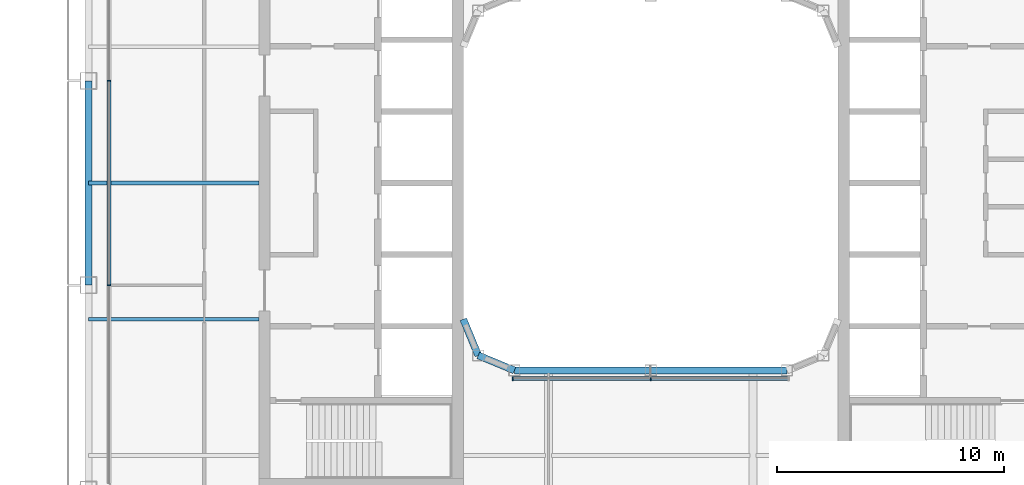
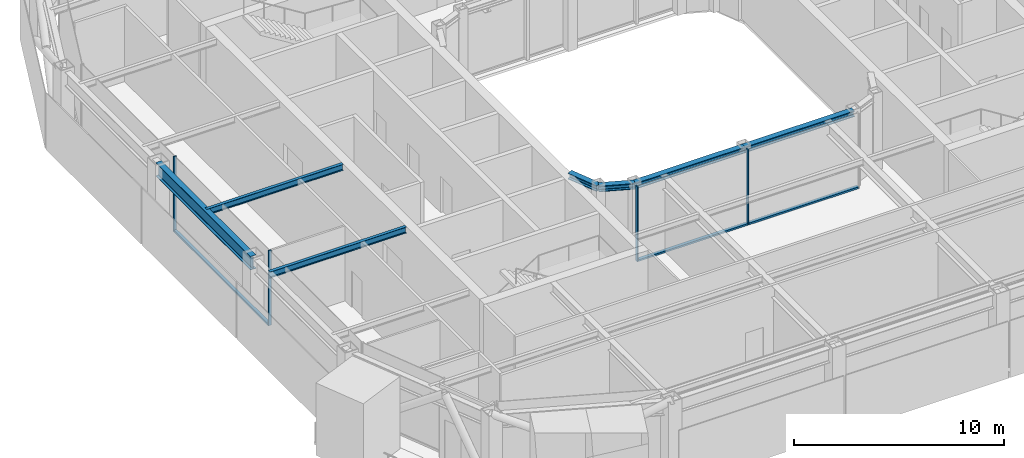
# One storey, part 4 of 20: 7 beams, 7 members, 2 elements without a shape of their own.
"""IFC4 building model written with IfcOpenShell, lengths in metres."""

from ifc_helpers import new_model, si_unit, direction, frame, origin, origin_2d, place, context, subcontext, project, spatial, rectangle, i_section, extrude, material, layer, layer_set, material_profile, profile_set, type_object, element, aggregate, save


model = new_model("IFC4")

# Units and contexts
model_context = context("Model", 3, precision=1e-05, world=origin(), true_north=direction((0.0, 1.0)))
body_context = subcontext(model_context, "Body", "Model", "MODEL_VIEW")
ifc_project = project(units=[si_unit("LENGTHUNIT", "METRE"), si_unit("AREAUNIT", "SQUARE_METRE"), si_unit("VOLUMEUNIT", "CUBIC_METRE"), si_unit("PLANEANGLEUNIT", "RADIAN"), si_unit("MASSUNIT", "GRAM", prefix="KILO")], contexts=[model_context])

# Site, building, storey
site_placement = place(None, origin())
site = spatial("IfcSite", under=ifc_project, at=site_placement, CompositionType="ELEMENT")
building_placement = place(site_placement, origin())
building = spatial("IfcBuilding", under=site, at=building_placement, Name="Siwar Civic Tower", CompositionType="ELEMENT")
storey_placement = place(building_placement, frame((0.0, 0.0, 316.699951171875)))
storey = spatial("IfcBuildingStorey", under=building, at=storey_placement, Name="L68", CompositionType="ELEMENT", Elevation=316.699951171875)

# Curtain wall, members
ifc_material_1 = material(Name="Aluminium and glass", Category="aluminium")
ifc_layer_1 = layer(ifc_material_1, 0.159912109375)
ifc_layer_set_1 = layer_set([ifc_layer_1], Name="Aluminium and glass")
curtain_wall_type_1 = type_object("IfcCurtainWallType", Name="ENV-CW-D", PredefinedType="NOTDEFINED", material=ifc_layer_set_1)
curtain_wall_1_placement = place(storey_placement, origin())
curtain_wall_1 = element("IfcCurtainWall", 1, at=curtain_wall_1_placement, inside=storey, type_object=curtain_wall_type_1, Name="Curtain wall D W", PredefinedType="NOTDEFINED")
ifc_material_2 = material(Name="Aluminium 6063-T6", Category="aluminium")
ifc_material_profile_1 = material_profile(ifc_material_2, rectangle(XDim=0.159912109375, YDim=0.06005859375, at=origin_2d()), Name="AL 160x60")
ifc_profile_set_1 = profile_set([ifc_material_profile_1], Name="Aluminium 6063-T6")
member_type_1 = type_object("IfcMemberType", Name="ENV-MULLION-D", PredefinedType="MULLION", material=ifc_profile_set_1)
member_1_placement = place(storey_placement, frame((-23.85009765625, 4.5, 0.0), z_axis=(0.0, 0.0, 1.0), x_axis=(1.0, 0.0, 0.0)))
member_1 = element("IfcMember", 2, at=member_1_placement, type_object=member_type_1, Name="Mullion D W 2", PredefinedType="MULLION", context=body_context, shape_type="SweptSolid", body=[
    extrude(rectangle(XDim=0.159912109375, YDim=0.06005859375, at=origin_2d()), origin(), (0.0, 0.0, 1.0), 4.35009765625),
])
member_2_placement = place(storey_placement, frame((-23.85009765625, -4.5, 0.0), z_axis=(0.0, 0.0, 1.0), x_axis=(1.0, 0.0, 0.0)))
member_2 = element("IfcMember", 3, at=member_2_placement, type_object=member_type_1, Name="Mullion D W 3", PredefinedType="MULLION", context=body_context, shape_type="SweptSolid", body=[
    extrude(rectangle(XDim=0.159912109375, YDim=0.06005859375, at=origin_2d()), origin(), (0.0, 0.0, 1.0), 4.35009765625),
])

ifc_material_3 = material(Name="Aluminium and glass", Category="aluminium")
ifc_layer_2 = layer(ifc_material_3, 0.179931640625)
ifc_layer_set_2 = layer_set([ifc_layer_2], Name="Aluminium and glass")
curtain_wall_type_2 = type_object("IfcCurtainWallType", Name="ENV-CW-W", PredefinedType="NOTDEFINED", material=ifc_layer_set_2)
curtain_wall_2_placement = place(storey_placement, origin())
curtain_wall_2 = element("IfcCurtainWall", 4, at=curtain_wall_2_placement, inside=storey, type_object=curtain_wall_type_2, Name="Curtain wall W WS", PredefinedType="NOTDEFINED")
ifc_material_4 = material(Name="Aluminium 6063-T6", Category="aluminium")
ifc_material_profile_2 = material_profile(ifc_material_4, rectangle(XDim=0.179931640625, YDim=0.06005859375, at=origin_2d()), Name="AL 180x60")
ifc_profile_set_2 = profile_set([ifc_material_profile_2], Name="Aluminium 6063-T6")
member_type_2 = type_object("IfcMemberType", Name="ENV-MULLION-W", PredefinedType="MULLION", material=ifc_profile_set_2)
member_3_placement = place(storey_placement, frame((-6.071533203125, -8.610107421875, 0.0), z_axis=(0.0, 0.0, 1.0), x_axis=(0.0, 1.0, 0.0)))
member_3 = element("IfcMember", 5, at=member_3_placement, type_object=member_type_2, Name="Mullion W WS 1", PredefinedType="MULLION", context=body_context, shape_type="SweptSolid", body=[
    extrude(rectangle(XDim=0.179931640625, YDim=0.06005859375, at=origin_2d()), origin(), (0.0, 0.0, 1.0), 4.35009765625),
])
member_4_placement = place(storey_placement, frame((0.0, -8.610107421875, 0.0), z_axis=(0.0, 0.0, 1.0), x_axis=(0.0, 1.0, 0.0)))
member_4 = element("IfcMember", 6, at=member_4_placement, type_object=member_type_2, Name="Mullion W WS 2", PredefinedType="MULLION", context=body_context, shape_type="SweptSolid", body=[
    extrude(rectangle(XDim=0.179931640625, YDim=0.06005859375, at=origin_2d()), origin(), (0.0, 0.0, 1.0), 4.35009765625),
])

# Member
ifc_material_5 = material(Name="Aluminium 6063-T6", Category="aluminium")
ifc_material_profile_3 = material_profile(ifc_material_5, rectangle(XDim=0.159912109375, YDim=0.10009765625, at=origin_2d()), Name="AL 160x100")
ifc_profile_set_3 = profile_set([ifc_material_profile_3], Name="Aluminium 6063-T6")
member_type_3 = type_object("IfcMemberType", Name="ENV-TRANSOM-D", PredefinedType="USERDEFINED", material=ifc_profile_set_3)
member_5_placement = place(storey_placement, frame((-23.85009765625, 4.469970703125, 0.050048828125), z_axis=(0.0, -1.0, 0.0), x_axis=(1.0, 0.0, 0.0)))
member_5 = element("IfcMember", 7, at=member_5_placement, type_object=member_type_3, Name="Transom D W 2", ObjectType="TRANSOM", PredefinedType="USERDEFINED", context=body_context, shape_type="SweptSolid", body=[
    extrude(rectangle(XDim=0.159912109375, YDim=0.10009765625, at=origin_2d()), origin(), (0.0, 0.0, 1.0), 8.93994140625),
])

aggregate(curtain_wall_1, [member_1, member_2, member_5])

ifc_material_6 = material(Name="Aluminium 6063-T6", Category="aluminium")
ifc_material_profile_4 = material_profile(ifc_material_6, rectangle(XDim=0.179931640625, YDim=0.10009765625, at=origin_2d()), Name="AL 180x100")
ifc_profile_set_4 = profile_set([ifc_material_profile_4], Name="Aluminium 6063-T6")
member_type_4 = type_object("IfcMemberType", Name="ENV-TRANSOM-W", PredefinedType="USERDEFINED", material=ifc_profile_set_4)
member_6_placement = place(storey_placement, frame((-6.04150390625, -8.610107421875, 0.050048828125), z_axis=(1.0, 0.0, 0.0), x_axis=(0.0, 1.0, 0.0)))
member_6 = element("IfcMember", 8, at=member_6_placement, type_object=member_type_4, Name="Transom W WS 1", ObjectType="TRANSOM", PredefinedType="USERDEFINED", context=body_context, shape_type="SweptSolid", body=[
    extrude(rectangle(XDim=0.179931640625, YDim=0.10009765625, at=origin_2d()), origin(), (0.0, 0.0, 1.0), 6.011474609375),
])

member_7_placement = place(storey_placement, frame((0.030029296875, -8.610107421875, 0.050048828125), z_axis=(1.0, 0.0, 0.0), x_axis=(0.0, 1.0, 0.0)))
member_7 = element("IfcMember", 9, at=member_7_placement, type_object=member_type_4, Name="Transom W WS 2", ObjectType="TRANSOM", PredefinedType="USERDEFINED", context=body_context, shape_type="SweptSolid", body=[
    extrude(rectangle(XDim=0.179931640625, YDim=0.10009765625, at=origin_2d()), origin(), (0.0, 0.0, 1.0), 6.011474609375),
])

aggregate(curtain_wall_2, [member_3, member_4, member_6, member_7])

# Beams
ifc_material_7 = material(Name="Steel S355", Category="steel")
ifc_material_profile_5 = material_profile(ifc_material_7, i_section(OverallWidth=0.169921875, OverallDepth=0.360107421875, WebThickness=0.008056640625, FlangeThickness=0.0126953125, FilletRadius=0.01806640625, at=origin_2d()), Name="IPE360")
ifc_profile_set_5 = profile_set([ifc_material_profile_5], Name="Steel S355")
beam_type_1 = type_object("IfcBeamType", Name="STR-FB-IPE360", PredefinedType="JOIST", material=ifc_profile_set_5)
for number, where, z_axis, x_axis, name in (
    (10, (-24.75, -6.0, 4.170166015625), (1.0, 0.0, 0.0), (0.0, 1.0, 0.0), "L68/bm/F016"),
    (11, (-24.75, 0.0, 4.170166015625), (1.0, 0.0, 0.0), (0.0, 1.0, 0.0), "L68/bm/F018"),
):
    element("IfcBeam", number, at=place(storey_placement, frame(where, z_axis=z_axis, x_axis=x_axis)), inside=storey, type_object=beam_type_1, Name=name, PredefinedType="JOIST", context=body_context, shape_type="SweptSolid", body=[
        extrude(i_section(OverallWidth=0.169921875, OverallDepth=0.360107421875, WebThickness=0.008056640625, FlangeThickness=0.0126953125, FilletRadius=0.01806640625, at=origin_2d()), origin(), (0.0, 0.0, 1.0), 7.5),
    ])
ifc_material_8 = material(Name="Steel S355", Category="steel")
ifc_material_profile_6 = material_profile(ifc_material_8, i_section(OverallWidth=0.31005859375, OverallDepth=0.340087890625, WebThickness=0.02099609375, FlangeThickness=0.0390625, FilletRadius=0.027099609375, at=origin_2d()), Name="HEM300")
ifc_profile_set_6 = profile_set([ifc_material_profile_6], Name="Steel S355")
beam_type_2 = type_object("IfcBeamType", Name="STR-RB-HEM300", PredefinedType="BEAM", material=ifc_profile_set_6)
beam_1_placement = place(storey_placement, frame((-7.591064453125, -7.591064453125, 4.179931640625), z_axis=(0.923901072997, -0.382631424892, 0.0), x_axis=(0.382631424892, 0.923901072997, 0.0)))
element("IfcBeam", 12, at=beam_1_placement, inside=storey, type_object=beam_type_2, Name="L68/bm/RS0", PredefinedType="BEAM", context=body_context, shape_type="SweptSolid", body=[
    extrude(i_section(OverallWidth=0.31005859375, OverallDepth=0.340087890625, WebThickness=0.02099609375, FlangeThickness=0.0390625, FilletRadius=0.027099609375, at=origin_2d()), origin(), (0.0, 0.0, 1.0), 1.72216796875),
])
for number, where, z_axis, x_axis, name in (
    (13, (-6.0, -8.25, 4.179931640625), (1.0, 0.0, 0.0), (0.0, 1.0, 0.0), "L68/bm/RS1"),
    (14, (0.0, -8.25, 4.179931640625), (1.0, 0.0, 0.0), (0.0, 1.0, 0.0), "L68/bm/RS2"),
):
    element("IfcBeam", number, at=place(storey_placement, frame(where, z_axis=z_axis, x_axis=x_axis)), inside=storey, type_object=beam_type_2, Name=name, PredefinedType="BEAM", context=body_context, shape_type="SweptSolid", body=[
        extrude(i_section(OverallWidth=0.31005859375, OverallDepth=0.340087890625, WebThickness=0.02099609375, FlangeThickness=0.0390625, FilletRadius=0.027099609375, at=origin_2d()), origin(), (0.0, 0.0, 1.0), 6.0),
    ])
beam_2_placement = place(storey_placement, frame((-7.591064453125, -7.591064453125, 4.179931640625), z_axis=(-0.382631424892, 0.923901072997, 0.0), x_axis=(-0.923901072997, -0.382631424892, 0.0)))
element("IfcBeam", 15, at=beam_2_placement, inside=storey, type_object=beam_type_2, Name="L68/bm/RSEW", PredefinedType="BEAM", context=body_context, shape_type="SweptSolid", body=[
    extrude(i_section(OverallWidth=0.31005859375, OverallDepth=0.340087890625, WebThickness=0.02099609375, FlangeThickness=0.0390625, FilletRadius=0.027099609375, at=origin_2d()), origin(), (0.0, 0.0, 1.0), 1.72216796875),
])
ifc_material_9 = material(Name="Steel S355", Category="steel")
ifc_material_profile_7 = material_profile(ifc_material_9, i_section(OverallWidth=0.300048828125, OverallDepth=0.800048828125, WebThickness=0.017578125, FlangeThickness=0.032958984375, FilletRadius=0.030029296875, at=origin_2d()), Name="HEB800")
ifc_profile_set_7 = profile_set([ifc_material_profile_7], Name="Steel S355")
beam_type_3 = type_object("IfcBeamType", Name="STR-SB-HEB800", PredefinedType="BEAM", material=ifc_profile_set_7)
beam_3_placement = place(storey_placement, frame((-24.75, 4.5, 3.949951171875), z_axis=(0.0, -1.0, 0.0), x_axis=(1.0, 0.0, 0.0)))
element("IfcBeam", 16, at=beam_3_placement, inside=storey, type_object=beam_type_3, Name="L68/bm/SW-1", PredefinedType="BEAM", context=body_context, shape_type="SweptSolid", body=[
    extrude(i_section(OverallWidth=0.300048828125, OverallDepth=0.800048828125, WebThickness=0.017578125, FlangeThickness=0.032958984375, FilletRadius=0.030029296875, at=origin_2d()), origin(), (0.0, 0.0, 1.0), 9.0),
])

save(model, "model.ifc")
